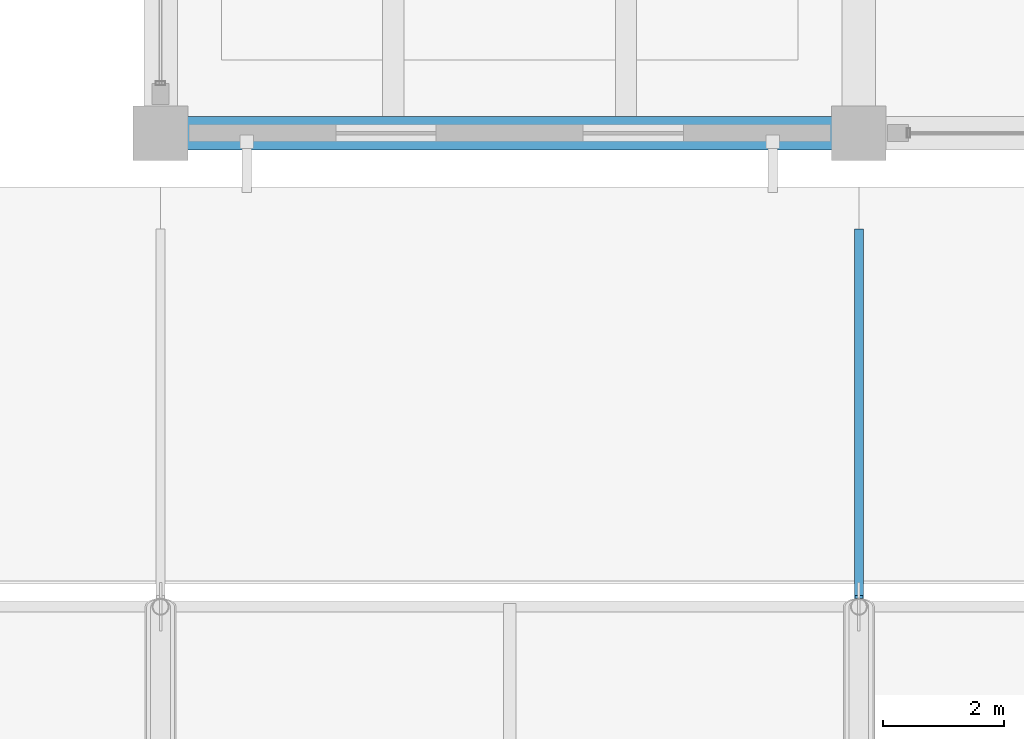
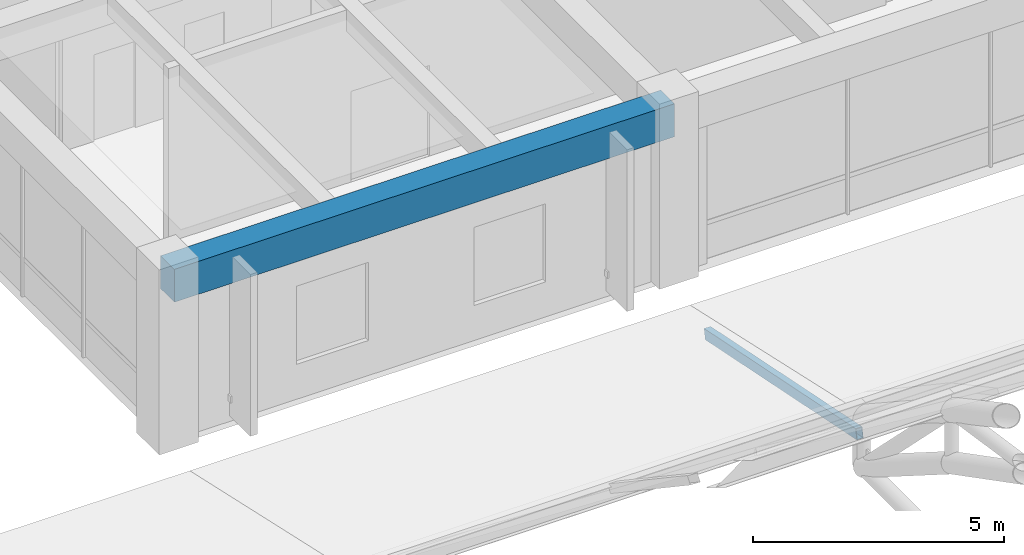
# One storey, part 84 of 154: 1 beam, 1 member.
"""IFC4 building model written with IfcOpenShell, lengths in metres."""

from ifc_helpers import new_model, si_unit, direction, frame, origin, origin_2d, place, context, subcontext, project, spatial, rectangle, hollow_rectangle, extrude, material, material_profile, profile_set, type_object, element, save


model = new_model("IFC4")

# Units and contexts
model_context = context("Model", 3, precision=1e-05, world=origin(), true_north=direction((0.0, 1.0)))
body_context = subcontext(model_context, "Body", "Model", "MODEL_VIEW")
ifc_project = project(units=[si_unit("LENGTHUNIT", "METRE"), si_unit("AREAUNIT", "SQUARE_METRE"), si_unit("VOLUMEUNIT", "CUBIC_METRE"), si_unit("PLANEANGLEUNIT", "RADIAN"), si_unit("MASSUNIT", "GRAM", prefix="KILO")], contexts=[model_context])

# Site, building, storey
site_placement = place(None, origin())
site = spatial("IfcSite", under=ifc_project, at=site_placement, CompositionType="ELEMENT")
building_placement = place(site_placement, origin())
building = spatial("IfcBuilding", under=site, at=building_placement, Name="Ologun Quay Terminus", CompositionType="ELEMENT")
storey_placement = place(building_placement, frame((0.0, 0.0, 13.800048828125)))
storey = spatial("IfcBuildingStorey", under=building, at=storey_placement, Name="L03", CompositionType="ELEMENT", Elevation=13.800048828125)

# Beam
ifc_material_1 = material(Name="Concrete C40/50", Category="concrete")
ifc_material_profile_1 = material_profile(ifc_material_1, rectangle(XDim=0.550048828125, YDim=0.800048828125, at=origin_2d()), Name="RC 550x800")
ifc_profile_set_1 = profile_set([ifc_material_profile_1], Name="Concrete C40/50")
beam_type = type_object("IfcBeamType", Name="Courtyard Wing Primary Girder 550x800", PredefinedType="BEAM", material=ifc_profile_set_1)
beam_placement = place(storey_placement, frame((115.0, 85.800048828125, 3.849853515625), z_axis=(1.0, 0.0, 0.0), x_axis=(0.0, 1.0, 0.0)))
element("IfcBeam", 1, at=beam_placement, inside=storey, type_object=beam_type, Name="B4 Beam 11/G2 L03", PredefinedType="BEAM", context=body_context, shape_type="SweptSolid", body=[
    extrude(rectangle(XDim=0.550048828125, YDim=0.800048828125, at=origin_2d()), origin(), (0.0, 0.0, 1.0), 11.5),
])

# Member
ifc_material_2 = material(Name="Steel S355", Category="steel")
ifc_material_profile_2 = material_profile(ifc_material_2, hollow_rectangle(XDim=0.14990234375, YDim=0.25, WallThickness=0.008056640625, at=origin_2d()), Name="RHS 250x150x8")
ifc_profile_set_2 = profile_set([ifc_material_profile_2], Name="Steel S355")
member_type = type_object("IfcMemberType", Name="Skylight Longitudinal Glazing Bar RHS200", PredefinedType="PURLIN", material=ifc_profile_set_2)
member_placement = place(storey_placement, frame((126.5, 84.199951171875, -0.520263671875), z_axis=(0.0, -0.98005285553, 0.19873701308), x_axis=(1.0, 0.0, 0.0)))
element("IfcMember", 2, at=member_placement, inside=storey, type_object=member_type, Name="SK1 Inclined Roof Rafter L03-NGAL-12", PredefinedType="PURLIN", context=body_context, shape_type="SweptSolid", body=[
    extrude(hollow_rectangle(XDim=0.14990234375, YDim=0.25, WallThickness=0.008056640625, at=origin_2d()), origin(), (0.0, 0.0, 1.0), 6.16064453125),
])

save(model, "model.ifc")
